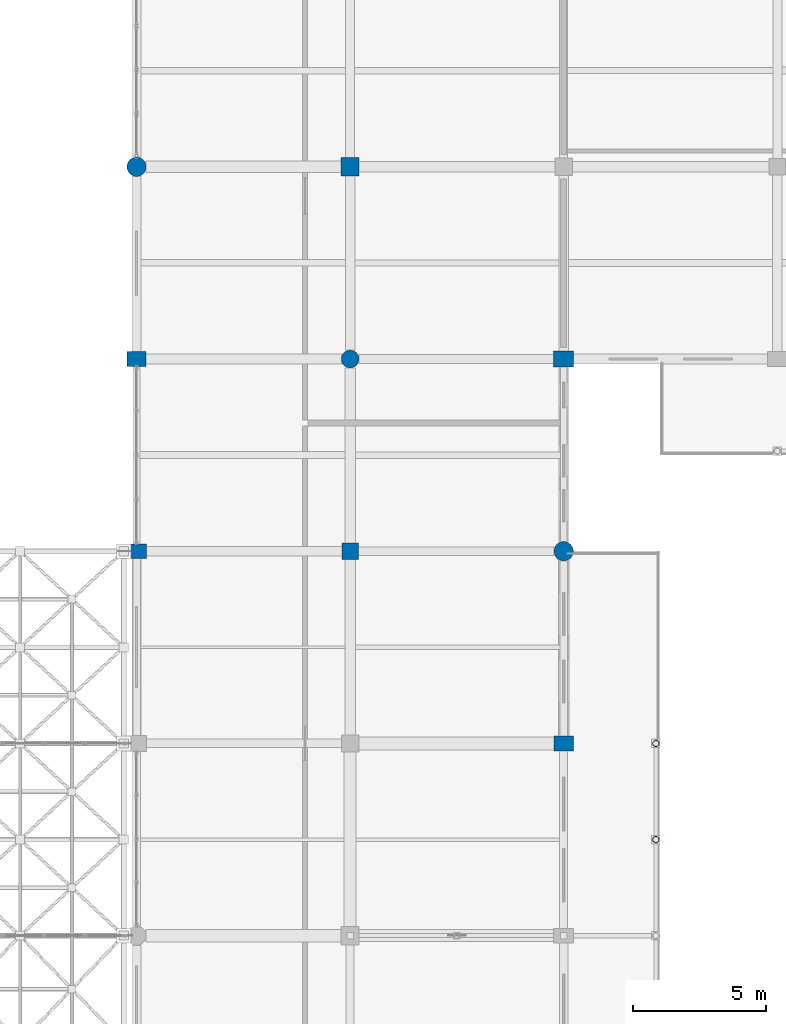
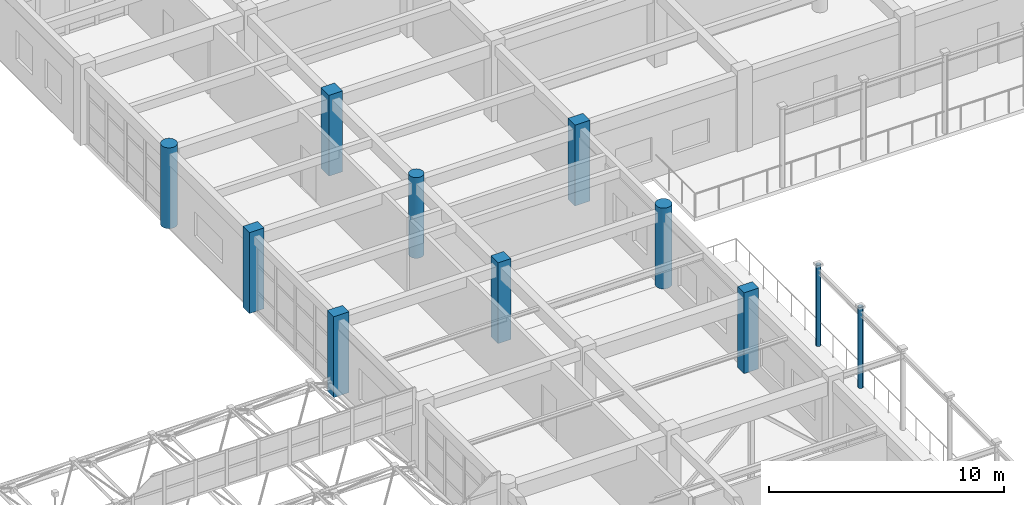
# One storey, part 13 of 195: 11 columns.
"""IFC4 building model written with IfcOpenShell, lengths in metres."""

from ifc_helpers import new_model, si_unit, direction, frame, origin, origin_2d, place, context, subcontext, project, spatial, rectangle, circle, hollow_circle, extrude, material, material_profile, profile_set, type_object, element, save


model = new_model("IFC4")

# Units and contexts
model_context = context("Model", 3, precision=1e-05, world=origin(), true_north=direction((0.0, 1.0)))
body_context = subcontext(model_context, "Body", "Model", "MODEL_VIEW")
ifc_project = project(units=[si_unit("LENGTHUNIT", "METRE"), si_unit("AREAUNIT", "SQUARE_METRE"), si_unit("VOLUMEUNIT", "CUBIC_METRE"), si_unit("PLANEANGLEUNIT", "RADIAN"), si_unit("MASSUNIT", "GRAM", prefix="KILO")], contexts=[model_context])

# Site, building, storey
site_placement = place(None, origin())
site = spatial("IfcSite", under=ifc_project, at=site_placement, CompositionType="ELEMENT")
building_placement = place(site_placement, origin())
building = spatial("IfcBuilding", under=site, at=building_placement, Name="Kharva Crest Polytechnic", CompositionType="ELEMENT")
storey_placement = place(building_placement, frame((0.0, 0.0, 9.0)))
storey = spatial("IfcBuildingStorey", under=building, at=storey_placement, Name="L02", CompositionType="ELEMENT", Elevation=9.0)

# Columns
ifc_material_1 = material(Name="Concrete C40/50", Category="concrete")
ifc_material_profile_1 = material_profile(ifc_material_1, rectangle(XDim=0.719970703125, YDim=0.550048828125, at=origin_2d()), Name="RECT 720 X 550")
ifc_profile_set_1 = profile_set([ifc_material_profile_1], Name="Concrete C40/50")
column_type_1 = type_object("IfcColumnType", Name="COL-EXT-720X550", PredefinedType="COLUMN", material=ifc_profile_set_1)
for number, where, z_axis, x_axis, name in (
    (1, (32.0, 100.39990234375, 0.0), (0.0, 0.0, 1.0), (1.0, 0.0, 0.0), "L02 Column 5/P"),
    (2, (48.0, 86.0, 0.0), (0.0, 0.0, 1.0), (1.0, 0.0, 0.0), "L02 Column 7/M"),
):
    element("IfcColumn", number, at=place(storey_placement, frame(where, z_axis=z_axis, x_axis=x_axis)), inside=storey, type_object=column_type_1, Name=name, PredefinedType="COLUMN", context=body_context, shape_type="SweptSolid", body=[
        extrude(rectangle(XDim=0.719970703125, YDim=0.550048828125, at=origin_2d()), origin(), (0.0, 0.0, 1.0), 4.199951171875),
    ])
ifc_material_profile_2 = material_profile(ifc_material_1, rectangle(XDim=0.75, YDim=0.550048828125, at=origin_2d()), Name="RECT 750 X 550")
ifc_profile_set_2 = profile_set([ifc_material_profile_2], Name="Concrete C40/50")
column_type_2 = type_object("IfcColumnType", Name="COL-EXT-750X550", PredefinedType="COLUMN", material=ifc_profile_set_2)
column_1_placement = place(storey_placement, frame((32.0, 93.199951171875, 0.0), z_axis=(0.0, 0.0, 1.0), x_axis=(1.0, 0.0, 0.0)))
element("IfcColumn", 3, at=column_1_placement, inside=storey, type_object=column_type_2, Name="L02 Column 5/N", PredefinedType="COLUMN", context=body_context, shape_type="SweptSolid", body=[
    extrude(rectangle(XDim=0.75, YDim=0.550048828125, at=origin_2d()), origin(), (0.0, 0.0, 1.0), 4.199951171875),
])
ifc_material_profile_3 = material_profile(ifc_material_1, rectangle(XDim=0.75, YDim=0.60009765625, at=origin_2d()), Name="RECT 750 X 600")
ifc_profile_set_3 = profile_set([ifc_material_profile_3], Name="Concrete C40/50")
column_type_3 = type_object("IfcColumnType", Name="COL-EXT-750X600", PredefinedType="COLUMN", material=ifc_profile_set_3)
column_2_placement = place(storey_placement, frame((48.0, 100.39990234375, 0.0), z_axis=(0.0, 0.0, 1.0), x_axis=(1.0, 0.0, 0.0)))
element("IfcColumn", 4, at=column_2_placement, inside=storey, type_object=column_type_3, Name="L02 Column 7/P", PredefinedType="COLUMN", context=body_context, shape_type="SweptSolid", body=[
    extrude(rectangle(XDim=0.75, YDim=0.60009765625, at=origin_2d()), origin(), (0.0, 0.0, 1.0), 4.199951171875),
])
ifc_material_profile_4 = material_profile(ifc_material_1, circle(Radius=0.360107421875, at=origin_2d()), Name="DIA 720")
ifc_profile_set_4 = profile_set([ifc_material_profile_4], Name="Concrete C40/50")
column_type_4 = type_object("IfcColumnType", Name="COL-EXT-DIA720", PredefinedType="COLUMN", material=ifc_profile_set_4)
for number, where, z_axis, x_axis, name in (
    (5, (32.0, 107.60009765625, 0.0), (0.0, 0.0, 1.0), (1.0, 0.0, 0.0), "L02 Column 5/Q"),
    (6, (48.0, 93.199951171875, 0.0), (0.0, 0.0, 1.0), (1.0, 0.0, 0.0), "L02 Column 7/N"),
):
    element("IfcColumn", number, at=place(storey_placement, frame(where, z_axis=z_axis, x_axis=x_axis)), inside=storey, type_object=column_type_4, Name=name, PredefinedType="COLUMN", context=body_context, shape_type="SweptSolid", body=[
        extrude(circle(Radius=0.360107421875, at=origin_2d()), origin(), (0.0, 0.0, 1.0), 4.199951171875),
    ])
ifc_material_profile_5 = material_profile(ifc_material_1, rectangle(XDim=0.6201171875, YDim=0.6201171875, at=origin_2d()), Name="RECT 620 X 620")
ifc_profile_set_5 = profile_set([ifc_material_profile_5], Name="Concrete C40/50")
column_type_5 = type_object("IfcColumnType", Name="COL-INT-620X620", PredefinedType="COLUMN", material=ifc_profile_set_5)
column_3_placement = place(storey_placement, frame((40.0, 93.199951171875, 0.0), z_axis=(0.0, 0.0, 1.0), x_axis=(1.0, 0.0, 0.0)))
element("IfcColumn", 7, at=column_3_placement, inside=storey, type_object=column_type_5, Name="L02 Column 6/N", PredefinedType="COLUMN", context=body_context, shape_type="SweptSolid", body=[
    extrude(rectangle(XDim=0.6201171875, YDim=0.6201171875, at=origin_2d()), origin(), (0.0, 0.0, 1.0), 4.199951171875),
])
ifc_material_profile_6 = material_profile(ifc_material_1, rectangle(XDim=0.679931640625, YDim=0.679931640625, at=origin_2d()), Name="RECT 680 X 680")
ifc_profile_set_6 = profile_set([ifc_material_profile_6], Name="Concrete C40/50")
column_type_6 = type_object("IfcColumnType", Name="COL-INT-680X680", PredefinedType="COLUMN", material=ifc_profile_set_6)
column_4_placement = place(storey_placement, frame((40.0, 107.60009765625, 0.0), z_axis=(0.0, 0.0, 1.0), x_axis=(1.0, 0.0, 0.0)))
element("IfcColumn", 8, at=column_4_placement, inside=storey, type_object=column_type_6, Name="L02 Column 6/Q", PredefinedType="COLUMN", context=body_context, shape_type="SweptSolid", body=[
    extrude(rectangle(XDim=0.679931640625, YDim=0.679931640625, at=origin_2d()), origin(), (0.0, 0.0, 1.0), 4.199951171875),
])
ifc_material_profile_7 = material_profile(ifc_material_1, circle(Radius=0.330078125, at=origin_2d()), Name="DIA 660")
ifc_profile_set_7 = profile_set([ifc_material_profile_7], Name="Concrete C40/50")
column_type_7 = type_object("IfcColumnType", Name="COL-INT-DIA660", PredefinedType="COLUMN", material=ifc_profile_set_7)
column_5_placement = place(storey_placement, frame((40.0, 100.39990234375, 0.0), z_axis=(0.0, 0.0, 1.0), x_axis=(1.0, 0.0, 0.0)))
element("IfcColumn", 9, at=column_5_placement, inside=storey, type_object=column_type_7, Name="L02 Column 6/P", PredefinedType="COLUMN", context=body_context, shape_type="SweptSolid", body=[
    extrude(circle(Radius=0.330078125, at=origin_2d()), origin(), (0.0, 0.0, 1.0), 4.199951171875),
])
ifc_material_2 = material(Name="Steel S355", Category="steel")
ifc_material_profile_8 = material_profile(ifc_material_2, hollow_circle(Radius=0.122314453125, WallThickness=0.010009765625, at=origin_2d()), Name="CHS 244.5X10.0")
ifc_profile_set_8 = profile_set([ifc_material_profile_8], Name="Steel S355")
column_type_8 = type_object("IfcColumnType", Name="COL-STL-CHS244", PredefinedType="COLUMN", material=ifc_profile_set_8)
for number, where, z_axis, x_axis, name in (
    (10, (51.449951171875, 86.0, 0.0), (0.0, 0.0, 1.0), (1.0, 0.0, 0.0), "L02 Colonnade Column VW06"),
    (11, (51.449951171875, 82.39990234375, 0.0), (0.0, 0.0, 1.0), (1.0, 0.0, 0.0), "L02 Colonnade Mid Column VWM05"),
):
    element("IfcColumn", number, at=place(storey_placement, frame(where, z_axis=z_axis, x_axis=x_axis)), inside=storey, type_object=column_type_8, Name=name, PredefinedType="COLUMN", context=body_context, shape_type="SweptSolid", body=[
        extrude(hollow_circle(Radius=0.122314453125, WallThickness=0.010009765625, at=origin_2d()), origin(), (0.0, 0.0, 1.0), 4.199951171875),
    ])

save(model, "model.ifc")
